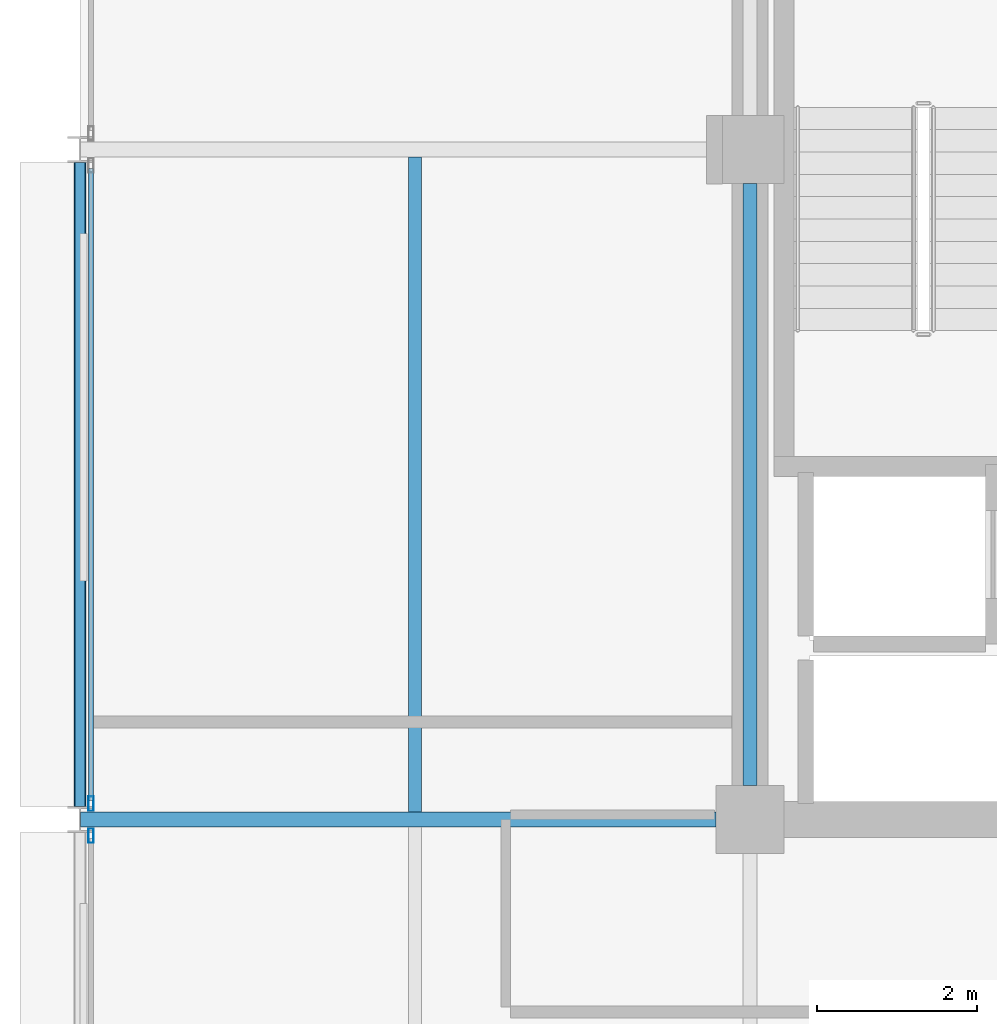
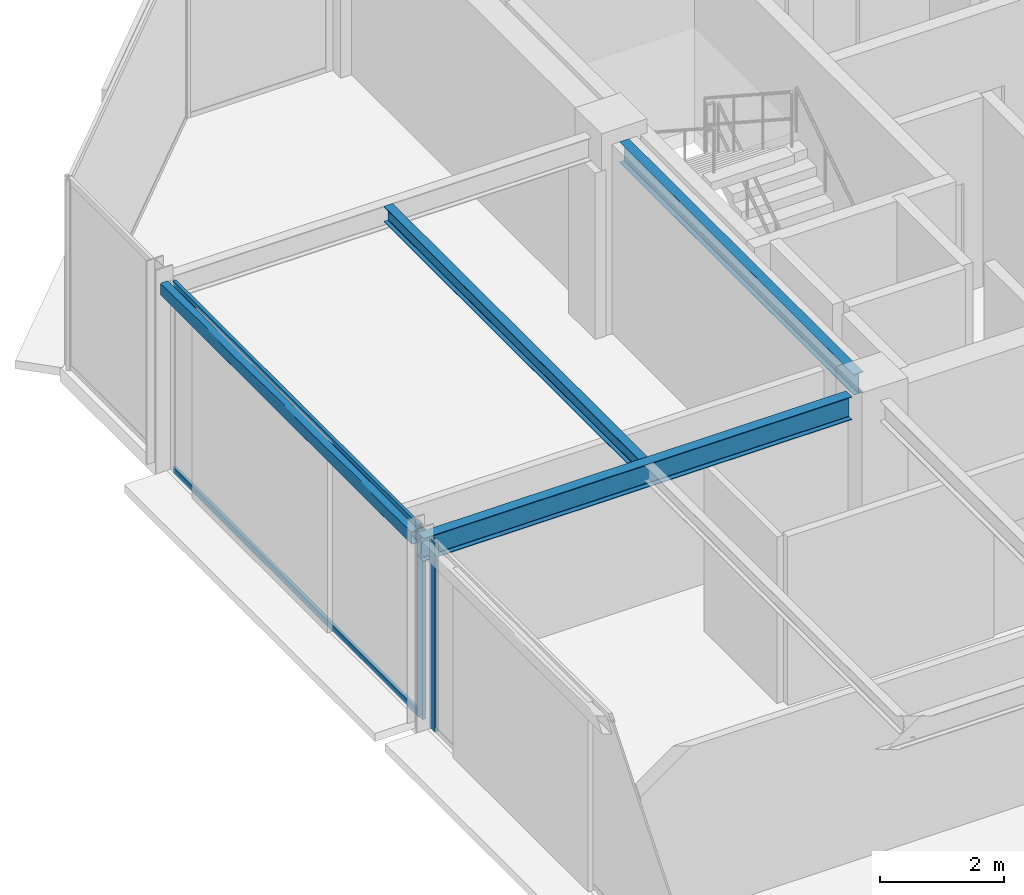
# One storey, part 11 of 25: 4 beams, 4 members, 2 elements without a shape of their own.
"""IFC4 building model written with IfcOpenShell, lengths in metres."""

from ifc_helpers import new_model, si_unit, direction, frame, origin, origin_2d, place, context, subcontext, project, spatial, hollow_rectangle, i_section, extrude, material, layer, layer_set, material_profile, profile_set, type_object, element, aggregate, save


model = new_model("IFC4")

# Units and contexts
model_context = context("Model", 3, precision=1e-05, world=origin(), true_north=direction((0.0, 1.0)))
body_context = subcontext(model_context, "Body", "Model", "MODEL_VIEW")
ifc_project = project(units=[si_unit("LENGTHUNIT", "METRE"), si_unit("AREAUNIT", "SQUARE_METRE"), si_unit("VOLUMEUNIT", "CUBIC_METRE"), si_unit("PLANEANGLEUNIT", "RADIAN"), si_unit("MASSUNIT", "GRAM", prefix="KILO")], contexts=[model_context])

# Site, building, storey
site_placement = place(None, origin())
site = spatial("IfcSite", under=ifc_project, at=site_placement, CompositionType="ELEMENT")
building_placement = place(site_placement, origin())
building = spatial("IfcBuilding", under=site, at=building_placement, Name="Nerrivon Quay Data Exchange", CompositionType="ELEMENT")
storey_placement = place(building_placement, frame((0.0, 0.0, 290.199951171875)))
storey = spatial("IfcBuildingStorey", under=building, at=storey_placement, Name="L69", CompositionType="ELEMENT", Elevation=290.199951171875)

# Beams
ifc_material_1 = material(Name="Steel Grade 350", Category="steel")
ifc_material_profile_1 = material_profile(ifc_material_1, i_section(OverallWidth=0.18994140625, OverallDepth=0.4541015625, WebThickness=0.008544921875, FlangeThickness=0.0126953125, FilletRadius=0.011474609375, at=origin_2d()), Name="460UB67.1")
ifc_profile_set_1 = profile_set([ifc_material_profile_1], Name="Steel Grade 350")
beam_type_1 = type_object("IfcBeamType", Name="BM-G6-460UB67", PredefinedType="BEAM", material=ifc_profile_set_1)
beam_1_placement = place(storey_placement, frame((0.0078125, 25.199951171875, 3.498046875), z_axis=(1.0, 0.0, 0.0), x_axis=(0.0, 1.0, 0.0)))
element("IfcBeam", 1, at=beam_1_placement, inside=storey, type_object=beam_type_1, Name="L69 EW Girder Y=25.2 (0.0..8.4)", PredefinedType="BEAM", context=body_context, shape_type="SweptSolid", body=[
    extrude(i_section(OverallWidth=0.18994140625, OverallDepth=0.4541015625, WebThickness=0.008544921875, FlangeThickness=0.0126953125, FilletRadius=0.011474609375, at=origin_2d()), origin(), (0.0, 0.0, 1.0), 7.96728515625),
])
ifc_material_profile_2 = material_profile(ifc_material_1, i_section(OverallWidth=0.177978515625, OverallDepth=0.406005859375, WebThickness=0.0078125, FlangeThickness=0.0126953125, FilletRadius=0.011474609375, at=origin_2d()), Name="410UB59.7")
ifc_profile_set_2 = profile_set([ifc_material_profile_2], Name="Steel Grade 350")
beam_type_2 = type_object("IfcBeamType", Name="BM-J1-410UB60", PredefinedType="JOIST", material=ifc_profile_set_2)
beam_2_placement = place(storey_placement, frame((8.39990234375, 25.625, 3.52197265625), z_axis=(0.0, 1.0, 0.0), x_axis=(-1.0, 0.0, 0.0)))
element("IfcBeam", 2, at=beam_2_placement, inside=storey, type_object=beam_type_2, Name="L69 NS Girder X=8.4 (25.2..33.6)", PredefinedType="JOIST", context=body_context, shape_type="SweptSolid", body=[
    extrude(i_section(OverallWidth=0.177978515625, OverallDepth=0.406005859375, WebThickness=0.0078125, FlangeThickness=0.0126953125, FilletRadius=0.011474609375, at=origin_2d()), origin(), (0.0, 0.0, 1.0), 7.550048828125),
])
ifc_material_profile_3 = material_profile(ifc_material_1, i_section(OverallWidth=0.1650390625, OverallDepth=0.303955078125, WebThickness=0.006103515625, FlangeThickness=0.01025390625, FilletRadius=0.011474609375, at=origin_2d()), Name="310UB40.4")
ifc_profile_set_3 = profile_set([ifc_material_profile_3], Name="Steel Grade 350")
beam_type_3 = type_object("IfcBeamType", Name="BM-J6-310UB40", PredefinedType="JOIST", material=ifc_profile_set_3)
beam_3_placement = place(storey_placement, frame((4.199951171875, 25.294921875, 3.572998046875), z_axis=(0.0, 1.0, 0.0), x_axis=(-1.0, 0.0, 0.0)))
element("IfcBeam", 3, at=beam_3_placement, inside=storey, type_object=beam_type_3, Name="L69 Secondary Joist X=4.2 (25.2..33.6)", PredefinedType="JOIST", context=body_context, shape_type="SweptSolid", body=[
    extrude(i_section(OverallWidth=0.1650390625, OverallDepth=0.303955078125, WebThickness=0.006103515625, FlangeThickness=0.01025390625, FilletRadius=0.011474609375, at=origin_2d()), origin(), (0.0, 0.0, 1.0), 8.2099609375),
])
ifc_material_2 = material(Name="Steel Grade C350L0 (350 MPa)", Category="steel")
ifc_material_profile_4 = material_profile(ifc_material_2, hollow_rectangle(XDim=0.14990234375, YDim=0.25, WallThickness=0.009033203125, InnerFilletRadius=0.013427734375, OuterFilletRadius=0.0224609375, at=origin_2d()), Name="250x150x9.0RHS")
ifc_profile_set_4 = profile_set([ifc_material_profile_4], Name="Steel Grade C350L0 (350 MPa)")
beam_type_4 = type_object("IfcBeamType", Name="BM-SP4-250x150RHS", PredefinedType="SPANDREL", material=ifc_profile_set_4)
beam_4_placement = place(storey_placement, frame((0.0, 25.363525390625, 3.60009765625), z_axis=(0.0, 1.0, 0.0), x_axis=(-1.0, 0.0, 0.0)))
element("IfcBeam", 4, at=beam_4_placement, inside=storey, type_object=beam_type_4, Name="L69 NS Girder X=0.0 (25.2..33.6)", PredefinedType="SPANDREL", context=body_context, shape_type="SweptSolid", body=[
    extrude(hollow_rectangle(XDim=0.14990234375, YDim=0.25, WallThickness=0.009033203125, InnerFilletRadius=0.013427734375, OuterFilletRadius=0.0224609375, at=origin_2d()), origin(), (0.0, 0.0, 1.0), 8.072998046875),
])

# Curtain wall, member
ifc_material_3 = material(Name="Anodised aluminium 6063-T6", Category="aluminium")
ifc_layer = layer(ifc_material_3, 0.195068359375)
ifc_layer_set = layer_set([ifc_layer], Name="Anodised aluminium 6063-T6")
curtain_wall_type = type_object("IfcCurtainWallType", Name="CW-SYS-06", PredefinedType="NOTDEFINED", material=ifc_layer_set)
curtain_wall_1_placement = place(storey_placement, origin())
curtain_wall_1 = element("IfcCurtainWall", 5, at=curtain_wall_1_placement, inside=storey, type_object=curtain_wall_type, Name="L69 Unitised Curtain Wall 10", PredefinedType="NOTDEFINED")
ifc_material_profile_5 = material_profile(ifc_material_3, hollow_rectangle(XDim=0.06494140625, YDim=0.179931640625, WallThickness=0.00341796875, at=origin_2d()), Name="ALU-MULL-180x65")
ifc_profile_set_5 = profile_set([ifc_material_profile_5], Name="Anodised aluminium 6063-T6")
member_type_1 = type_object("IfcMemberType", Name="CWM-180x65", PredefinedType="MULLION", material=ifc_profile_set_5)
member_1_placement = place(storey_placement, frame((0.139892578125, 24.9990234375, 0.0), z_axis=(0.0, 0.0, 1.0), x_axis=(-1.0, 0.0, 0.0)))
member_1 = element("IfcMember", 6, at=member_1_placement, type_object=member_type_1, Name="CW06 mullion 2", PredefinedType="MULLION", context=body_context, shape_type="SweptSolid", body=[
    extrude(hollow_rectangle(XDim=0.06494140625, YDim=0.179931640625, WallThickness=0.00341796875, at=origin_2d()), origin(), (0.0, 0.0, 1.0), 3.72509765625),
])
aggregate(curtain_wall_1, [member_1])

# Curtain wall, members
curtain_wall_2_placement = place(storey_placement, origin())
curtain_wall_2 = element("IfcCurtainWall", 7, at=curtain_wall_2_placement, inside=storey, type_object=curtain_wall_type, Name="L69 Unitised Curtain Wall 11", PredefinedType="NOTDEFINED")
member_2_placement = place(storey_placement, frame((0.139892578125, 25.40087890625, 0.0), z_axis=(0.0, 0.0, 1.0), x_axis=(-1.0, 0.0, 0.0)))
member_2 = element("IfcMember", 8, at=member_2_placement, type_object=member_type_1, Name="CW06 mullion 1", PredefinedType="MULLION", context=body_context, shape_type="SweptSolid", body=[
    extrude(hollow_rectangle(XDim=0.06494140625, YDim=0.179931640625, WallThickness=0.00341796875, at=origin_2d()), origin(), (0.0, 0.0, 1.0), 3.72509765625),
])
ifc_material_profile_6 = material_profile(ifc_material_3, hollow_rectangle(XDim=0.06005859375, YDim=0.1201171875, WallThickness=0.003173828125, at=origin_2d()), Name="ALU-TRAN-120x60")
ifc_profile_set_6 = profile_set([ifc_material_profile_6], Name="Anodised aluminium 6063-T6")
member_type_2 = type_object("IfcMemberType", Name="CWT-120x60", PredefinedType="USERDEFINED", material=ifc_profile_set_6)
member_3_placement = place(storey_placement, frame((0.139892578125, 25.4384765625, 0.032470703125), z_axis=(0.0, 1.0, 0.0), x_axis=(-1.0, 0.0, 0.0)))
member_3 = element("IfcMember", 9, at=member_3_placement, type_object=member_type_2, Name="CW06 transom 1.1", ObjectType="TRANSOM", PredefinedType="USERDEFINED", context=body_context, shape_type="SweptSolid", body=[
    extrude(hollow_rectangle(XDim=0.06005859375, YDim=0.1201171875, WallThickness=0.003173828125, at=origin_2d()), origin(), (0.0, 0.0, 1.0), 7.923095703125),
])
member_4_placement = place(storey_placement, frame((0.139892578125, 25.4384765625, 3.692626953125), z_axis=(0.0, 1.0, 0.0), x_axis=(-1.0, 0.0, 0.0)))
member_4 = element("IfcMember", 10, at=member_4_placement, type_object=member_type_2, Name="CW06 transom 1.2", ObjectType="TRANSOM", PredefinedType="USERDEFINED", context=body_context, shape_type="SweptSolid", body=[
    extrude(hollow_rectangle(XDim=0.06005859375, YDim=0.1201171875, WallThickness=0.003173828125, at=origin_2d()), origin(), (0.0, 0.0, 1.0), 7.923095703125),
])
aggregate(curtain_wall_2, [member_2, member_3, member_4])

save(model, "model.ifc")
